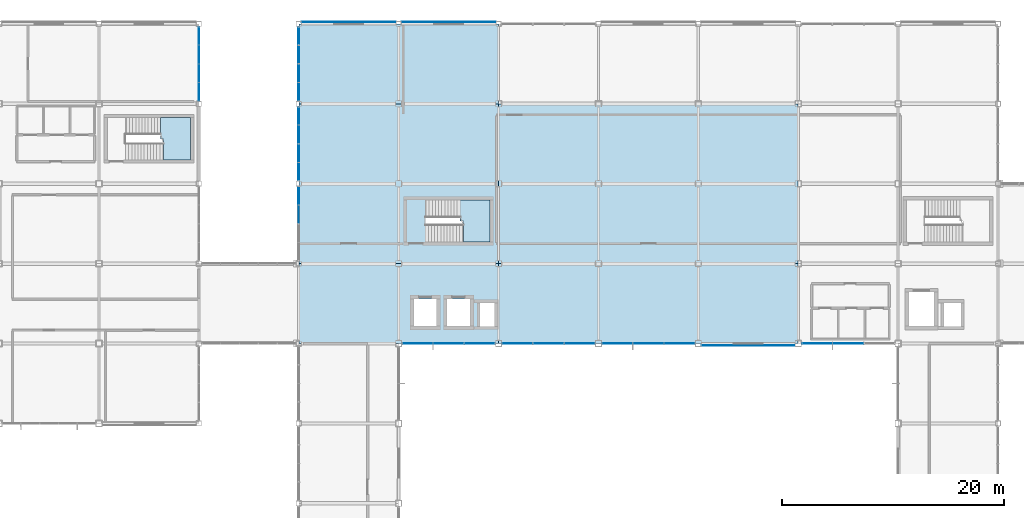
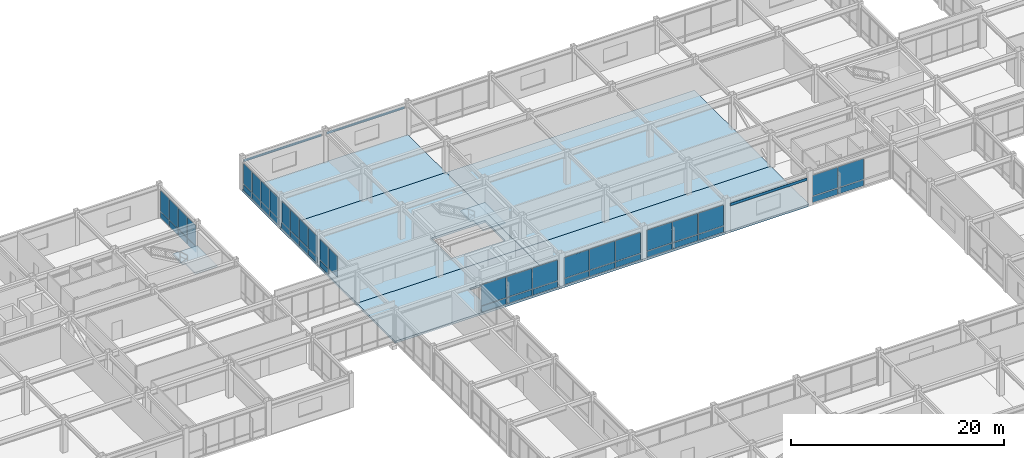
# One storey, part 95 of 122: 52 plates, 7 slabs, 10 elements without a shape of their own.
"""IFC4 building model written with IfcOpenShell, lengths in metres."""

from ifc_helpers import new_model, si_unit, direction, frame, origin, origin_2d, place, context, subcontext, project, spatial, polyline, rectangle, outline, extrude, material, layer, layer_set, type_object, element, aggregate, save


model = new_model("IFC4")

# Units and contexts
model_context = context("Model", 3, precision=1e-05, world=origin(), true_north=direction((0.0, 1.0)))
body_context = subcontext(model_context, "Body", "Model", "MODEL_VIEW")
ifc_project = project(units=[si_unit("LENGTHUNIT", "METRE"), si_unit("AREAUNIT", "SQUARE_METRE"), si_unit("VOLUMEUNIT", "CUBIC_METRE"), si_unit("PLANEANGLEUNIT", "RADIAN"), si_unit("MASSUNIT", "GRAM", prefix="KILO")], contexts=[model_context])

# Site, building, storey
site_placement = place(None, origin())
site = spatial("IfcSite", under=ifc_project, at=site_placement, CompositionType="ELEMENT")
building_placement = place(site_placement, origin())
building = spatial("IfcBuilding", under=site, at=building_placement, Name="Kazanami Central Library", CompositionType="ELEMENT")
storey_placement = place(building_placement, frame((0.0, 0.0, 4.800048828125)))
storey = spatial("IfcBuildingStorey", under=building, at=storey_placement, Name="L02", CompositionType="ELEMENT", Elevation=4.800048828125)

# Curtain wall, plates
ifc_material_1 = material(Name="Acid-Etched Low-E Laminated Glass", Category="glass")
curtain_wall_type_1 = type_object("IfcCurtainWallType", Name="CW-8450x3255-M275", PredefinedType="USERDEFINED", material=ifc_material_1)
curtain_wall_1_placement = place(storey_placement, origin())
curtain_wall_1 = element("IfcCurtainWall", 1, at=curtain_wall_1_placement, inside=storey, type_object=curtain_wall_type_1, Name="Unitised Curtain Wall CW-13 L02 S-K-06", ObjectType="UNITISED CURTAIN WALL", PredefinedType="USERDEFINED")
ifc_layer_1 = layer(ifc_material_1, 0.035888671875, Name="Acid-Etched Low-E Laminated Glass")
ifc_layer_set_1 = layer_set([ifc_layer_1], Name="Acid-Etched Low-E Laminated Glass")
plate_type_1 = type_object("IfcPlateType", Name="PLT-CW-P1", PredefinedType="CURTAIN_PANEL", material=ifc_layer_set_1)
plate_1_placement = place(storey_placement, frame((55.700927734375, 64.800048828125, 0.81494140625), z_axis=(0.0, 0.0, 1.0), x_axis=(1.0, 0.0, 0.0)))
plate_1 = element("IfcPlate", 2, at=plate_1_placement, type_object=plate_type_1, Name="CW-13 panel 1.2", PredefinedType="CURTAIN_PANEL", context=body_context, shape_type="SweptSolid", body=[
    extrude(rectangle(XDim=2.711669921875, YDim=0.035888671875, at=origin_2d()), origin(), (0.0, 0.0, 1.0), 2.3701171875),
])
plate_2_placement = place(storey_placement, frame((58.5, 64.800048828125, 0.81494140625), z_axis=(0.0, 0.0, 1.0), x_axis=(1.0, 0.0, 0.0)))
plate_2 = element("IfcPlate", 3, at=plate_2_placement, type_object=plate_type_1, Name="CW-13 panel 2.2", PredefinedType="CURTAIN_PANEL", context=body_context, shape_type="SweptSolid", body=[
    extrude(rectangle(XDim=2.74658203125, YDim=0.035888671875, at=origin_2d()), origin(), (0.0, 0.0, 1.0), 2.3701171875),
])
plate_3_placement = place(storey_placement, frame((61.299072265625, 64.800048828125, 0.81494140625), z_axis=(0.0, 0.0, 1.0), x_axis=(1.0, 0.0, 0.0)))
plate_3 = element("IfcPlate", 4, at=plate_3_placement, type_object=plate_type_1, Name="CW-13 panel 3.2", PredefinedType="CURTAIN_PANEL", context=body_context, shape_type="SweptSolid", body=[
    extrude(rectangle(XDim=2.711669921875, YDim=0.035888671875, at=origin_2d()), origin(), (0.0, 0.0, 1.0), 2.3701171875),
])

curtain_wall_2_placement = place(storey_placement, origin())
curtain_wall_2 = element("IfcCurtainWall", 5, at=curtain_wall_2_placement, inside=storey, type_object=curtain_wall_type_1, Name="Unitised Curtain Wall CW-13 L02 S-K-08", ObjectType="UNITISED CURTAIN WALL", PredefinedType="USERDEFINED")
plate_4_placement = place(storey_placement, frame((73.700927734375, 64.800048828125, 0.81494140625), z_axis=(0.0, 0.0, 1.0), x_axis=(1.0, 0.0, 0.0)))
plate_4 = element("IfcPlate", 6, at=plate_4_placement, type_object=plate_type_1, Name="CW-13 panel 1.2", PredefinedType="CURTAIN_PANEL", context=body_context, shape_type="SweptSolid", body=[
    extrude(rectangle(XDim=2.711669921875, YDim=0.035888671875, at=origin_2d()), origin(), (0.0, 0.0, 1.0), 2.3701171875),
])
plate_5_placement = place(storey_placement, frame((76.5, 64.800048828125, 0.81494140625), z_axis=(0.0, 0.0, 1.0), x_axis=(1.0, 0.0, 0.0)))
plate_5 = element("IfcPlate", 7, at=plate_5_placement, type_object=plate_type_1, Name="CW-13 panel 2.2", PredefinedType="CURTAIN_PANEL", context=body_context, shape_type="SweptSolid", body=[
    extrude(rectangle(XDim=2.74658203125, YDim=0.035888671875, at=origin_2d()), origin(), (0.0, 0.0, 1.0), 2.3701171875),
])
plate_6_placement = place(storey_placement, frame((79.299072265625, 64.800048828125, 0.81494140625), z_axis=(0.0, 0.0, 1.0), x_axis=(1.0, 0.0, 0.0)))
plate_6 = element("IfcPlate", 8, at=plate_6_placement, type_object=plate_type_1, Name="CW-13 panel 3.2", PredefinedType="CURTAIN_PANEL", context=body_context, shape_type="SweptSolid", body=[
    extrude(rectangle(XDim=2.711669921875, YDim=0.035888671875, at=origin_2d()), origin(), (0.0, 0.0, 1.0), 2.3701171875),
])

curtain_wall_3_placement = place(storey_placement, origin())
curtain_wall_3 = element("IfcCurtainWall", 9, at=curtain_wall_3_placement, inside=storey, type_object=curtain_wall_type_1, Name="Unitised Curtain Wall CW-13 L02 S-K-10", ObjectType="UNITISED CURTAIN WALL", PredefinedType="USERDEFINED")
plate_7_placement = place(storey_placement, frame((91.700927734375, 64.800048828125, 0.81494140625), z_axis=(0.0, 0.0, 1.0), x_axis=(1.0, 0.0, 0.0)))
plate_7 = element("IfcPlate", 10, at=plate_7_placement, type_object=plate_type_1, Name="CW-13 panel 1.2", PredefinedType="CURTAIN_PANEL", context=body_context, shape_type="SweptSolid", body=[
    extrude(rectangle(XDim=2.711669921875, YDim=0.035888671875, at=origin_2d()), origin(), (0.0, 0.0, 1.0), 2.3701171875),
])
plate_8_placement = place(storey_placement, frame((94.5, 64.800048828125, 0.81494140625), z_axis=(0.0, 0.0, 1.0), x_axis=(1.0, 0.0, 0.0)))
plate_8 = element("IfcPlate", 11, at=plate_8_placement, type_object=plate_type_1, Name="CW-13 panel 2.2", PredefinedType="CURTAIN_PANEL", context=body_context, shape_type="SweptSolid", body=[
    extrude(rectangle(XDim=2.74658203125, YDim=0.035888671875, at=origin_2d()), origin(), (0.0, 0.0, 1.0), 2.3701171875),
])

curtain_wall_4_placement = place(storey_placement, origin())
curtain_wall_4 = element("IfcCurtainWall", 12, at=curtain_wall_4_placement, inside=storey, type_object=curtain_wall_type_1, Name="Unitised Curtain Wall CW-13 L02 S-K-07", ObjectType="UNITISED CURTAIN WALL", PredefinedType="USERDEFINED")
ifc_layer_2 = layer(ifc_material_1, 0.0439453125, Name="Acid-Etched Low-E Laminated Glass")
ifc_layer_set_2 = layer_set([ifc_layer_2], Name="Acid-Etched Low-E Laminated Glass")
plate_type_2 = type_object("IfcPlateType", Name="PLT-CW-P2", PredefinedType="CURTAIN_PANEL", material=ifc_layer_set_2)
plate_9_placement = place(storey_placement, frame((64.700927734375, 64.800048828125, 0.81494140625), z_axis=(0.0, 0.0, 1.0), x_axis=(1.0, 0.0, 0.0)))
plate_9 = element("IfcPlate", 13, at=plate_9_placement, type_object=plate_type_2, Name="CW-13 panel 1.2", PredefinedType="CURTAIN_PANEL", context=body_context, shape_type="SweptSolid", body=[
    extrude(rectangle(XDim=2.711669921875, YDim=0.0439453125, at=origin_2d()), origin(), (0.0, 0.0, 1.0), 2.3701171875),
])
plate_10_placement = place(storey_placement, frame((67.5, 64.800048828125, 0.81494140625), z_axis=(0.0, 0.0, 1.0), x_axis=(1.0, 0.0, 0.0)))
plate_10 = element("IfcPlate", 14, at=plate_10_placement, type_object=plate_type_2, Name="CW-13 panel 2.2", PredefinedType="CURTAIN_PANEL", context=body_context, shape_type="SweptSolid", body=[
    extrude(rectangle(XDim=2.74658203125, YDim=0.0439453125, at=origin_2d()), origin(), (0.0, 0.0, 1.0), 2.3701171875),
])
plate_11_placement = place(storey_placement, frame((70.299072265625, 64.800048828125, 0.81494140625), z_axis=(0.0, 0.0, 1.0), x_axis=(1.0, 0.0, 0.0)))
plate_11 = element("IfcPlate", 15, at=plate_11_placement, type_object=plate_type_2, Name="CW-13 panel 3.2", PredefinedType="CURTAIN_PANEL", context=body_context, shape_type="SweptSolid", body=[
    extrude(rectangle(XDim=2.711669921875, YDim=0.0439453125, at=origin_2d()), origin(), (0.0, 0.0, 1.0), 2.3701171875),
])

curtain_wall_type_2 = type_object("IfcCurtainWallType", Name="CW-6750x3255-M180", PredefinedType="USERDEFINED", material=ifc_material_1)
curtain_wall_5_placement = place(storey_placement, origin())
curtain_wall_5 = element("IfcCurtainWall", 16, at=curtain_wall_5_placement, inside=storey, type_object=curtain_wall_type_2, Name="Covered Link Bridge Curtain Wall CW-21 L02 E-5-12", ObjectType="UNITISED CURTAIN WALL", PredefinedType="USERDEFINED")
ifc_material_2 = material(Name="Low-E Insulated Triple Glass", Category="glass")
ifc_layer_3 = layer(ifc_material_2, 0.0400390625, Name="Low-E Insulated Triple Glass")
ifc_layer_set_3 = layer_set([ifc_layer_3], Name="Low-E Insulated Triple Glass")
plate_type_3 = type_object("IfcPlateType", Name="PLT-CW-P3", PredefinedType="CURTAIN_PANEL", material=ifc_layer_set_3)
plate_12_placement = place(storey_placement, frame((36.0, 92.516357421875, 0.81005859375), z_axis=(0.0, 0.0, 1.0), x_axis=(0.0, -1.0, 0.0)))
plate_12 = element("IfcPlate", 17, at=plate_12_placement, type_object=plate_type_3, Name="CW-21 panel 1.2", PredefinedType="CURTAIN_PANEL", context=body_context, shape_type="SweptSolid", body=[
    extrude(rectangle(XDim=1.597412109375, YDim=0.0400390625, at=origin_2d()), origin(), (0.0, 0.0, 1.0), 2.385009765625),
])
plate_13_placement = place(storey_placement, frame((36.0, 90.84375, 0.81005859375), z_axis=(0.0, 0.0, 1.0), x_axis=(0.0, -1.0, 0.0)))
plate_13 = element("IfcPlate", 18, at=plate_13_placement, type_object=plate_type_3, Name="CW-21 panel 2.2", PredefinedType="CURTAIN_PANEL", context=body_context, shape_type="SweptSolid", body=[
    extrude(rectangle(XDim=1.62744140625, YDim=0.0400390625, at=origin_2d()), origin(), (0.0, 0.0, 1.0), 2.385009765625),
])
plate_14_placement = place(storey_placement, frame((36.0, 89.15625, 0.81005859375), z_axis=(0.0, 0.0, 1.0), x_axis=(0.0, -1.0, 0.0)))
plate_14 = element("IfcPlate", 19, at=plate_14_placement, type_object=plate_type_3, Name="CW-21 panel 3.2", PredefinedType="CURTAIN_PANEL", context=body_context, shape_type="SweptSolid", body=[
    extrude(rectangle(XDim=1.62744140625, YDim=0.0400390625, at=origin_2d()), origin(), (0.0, 0.0, 1.0), 2.385009765625),
])
plate_15_placement = place(storey_placement, frame((36.0, 87.483642578125, 0.81005859375), z_axis=(0.0, 0.0, 1.0), x_axis=(0.0, -1.0, 0.0)))
plate_15 = element("IfcPlate", 20, at=plate_15_placement, type_object=plate_type_3, Name="CW-21 panel 4.2", PredefinedType="CURTAIN_PANEL", context=body_context, shape_type="SweptSolid", body=[
    extrude(rectangle(XDim=1.597412109375, YDim=0.0400390625, at=origin_2d()), origin(), (0.0, 0.0, 1.0), 2.385009765625),
])

curtain_wall_6_placement = place(storey_placement, origin())
curtain_wall_6 = element("IfcCurtainWall", 21, at=curtain_wall_6_placement, inside=storey, type_object=curtain_wall_type_2, Name="Covered Link Bridge Curtain Wall CW-21 L02 W-6-10", ObjectType="UNITISED CURTAIN WALL", PredefinedType="USERDEFINED")
plate_16_placement = place(storey_placement, frame((45.0, 76.44384765625, 0.81494140625), z_axis=(0.0, 0.0, 1.0), x_axis=(0.0, 1.0, 0.0)))
plate_16 = element("IfcPlate", 22, at=plate_16_placement, type_object=plate_type_3, Name="CW-21 panel 3.2", PredefinedType="CURTAIN_PANEL", context=body_context, shape_type="SweptSolid", body=[
    extrude(rectangle(XDim=1.617431640625, YDim=0.0400390625, at=origin_2d()), origin(), (0.0, 0.0, 1.0), 2.3701171875),
])
plate_17_placement = place(storey_placement, frame((45.0, 78.11376953125, 0.81494140625), z_axis=(0.0, 0.0, 1.0), x_axis=(0.0, 1.0, 0.0)))
plate_17 = element("IfcPlate", 23, at=plate_17_placement, type_object=plate_type_3, Name="CW-21 panel 4.2", PredefinedType="CURTAIN_PANEL", context=body_context, shape_type="SweptSolid", body=[
    extrude(rectangle(XDim=1.58251953125, YDim=0.0400390625, at=origin_2d()), origin(), (0.0, 0.0, 1.0), 2.3701171875),
])

curtain_wall_7_placement = place(storey_placement, origin())
curtain_wall_7 = element("IfcCurtainWall", 24, at=curtain_wall_7_placement, inside=storey, type_object=curtain_wall_type_2, Name="Covered Link Bridge Curtain Wall CW-21 L02 W-6-11", ObjectType="UNITISED CURTAIN WALL", PredefinedType="USERDEFINED")
plate_18_placement = place(storey_placement, frame((45.0, 80.2861328125, 0.81494140625), z_axis=(0.0, 0.0, 1.0), x_axis=(0.0, 1.0, 0.0)))
plate_18 = element("IfcPlate", 25, at=plate_18_placement, type_object=plate_type_3, Name="CW-21 panel 1.2", PredefinedType="CURTAIN_PANEL", context=body_context, shape_type="SweptSolid", body=[
    extrude(rectangle(XDim=1.58251953125, YDim=0.0400390625, at=origin_2d()), origin(), (0.0, 0.0, 1.0), 2.3701171875),
])
plate_19_placement = place(storey_placement, frame((45.0, 81.956298828125, 0.81494140625), z_axis=(0.0, 0.0, 1.0), x_axis=(0.0, 1.0, 0.0)))
plate_19 = element("IfcPlate", 26, at=plate_19_placement, type_object=plate_type_3, Name="CW-21 panel 2.2", PredefinedType="CURTAIN_PANEL", context=body_context, shape_type="SweptSolid", body=[
    extrude(rectangle(XDim=1.617431640625, YDim=0.0400390625, at=origin_2d()), origin(), (0.0, 0.0, 1.0), 2.3701171875),
])
plate_20_placement = place(storey_placement, frame((45.0, 83.643798828125, 0.81494140625), z_axis=(0.0, 0.0, 1.0), x_axis=(0.0, 1.0, 0.0)))
plate_20 = element("IfcPlate", 27, at=plate_20_placement, type_object=plate_type_3, Name="CW-21 panel 3.2", PredefinedType="CURTAIN_PANEL", context=body_context, shape_type="SweptSolid", body=[
    extrude(rectangle(XDim=1.617431640625, YDim=0.0400390625, at=origin_2d()), origin(), (0.0, 0.0, 1.0), 2.3701171875),
])
plate_21_placement = place(storey_placement, frame((45.0, 85.313720703125, 0.81494140625), z_axis=(0.0, 0.0, 1.0), x_axis=(0.0, 1.0, 0.0)))
plate_21 = element("IfcPlate", 28, at=plate_21_placement, type_object=plate_type_3, Name="CW-21 panel 4.2", PredefinedType="CURTAIN_PANEL", context=body_context, shape_type="SweptSolid", body=[
    extrude(rectangle(XDim=1.58251953125, YDim=0.0400390625, at=origin_2d()), origin(), (0.0, 0.0, 1.0), 2.3701171875),
])

curtain_wall_8_placement = place(storey_placement, origin())
curtain_wall_8 = element("IfcCurtainWall", 29, at=curtain_wall_8_placement, inside=storey, type_object=curtain_wall_type_2, Name="Covered Link Bridge Curtain Wall CW-21 L02 W-6-12", ObjectType="UNITISED CURTAIN WALL", PredefinedType="USERDEFINED")
plate_22_placement = place(storey_placement, frame((45.0, 87.486328125, 0.81494140625), z_axis=(0.0, 0.0, 1.0), x_axis=(0.0, 1.0, 0.0)))
plate_22 = element("IfcPlate", 30, at=plate_22_placement, type_object=plate_type_3, Name="CW-21 panel 1.2", PredefinedType="CURTAIN_PANEL", context=body_context, shape_type="SweptSolid", body=[
    extrude(rectangle(XDim=1.58251953125, YDim=0.0400390625, at=origin_2d()), origin(), (0.0, 0.0, 1.0), 2.3701171875),
])
plate_23_placement = place(storey_placement, frame((45.0, 89.15625, 0.81494140625), z_axis=(0.0, 0.0, 1.0), x_axis=(0.0, 1.0, 0.0)))
plate_23 = element("IfcPlate", 31, at=plate_23_placement, type_object=plate_type_3, Name="CW-21 panel 2.2", PredefinedType="CURTAIN_PANEL", context=body_context, shape_type="SweptSolid", body=[
    extrude(rectangle(XDim=1.617431640625, YDim=0.0400390625, at=origin_2d()), origin(), (0.0, 0.0, 1.0), 2.3701171875),
])
plate_24_placement = place(storey_placement, frame((45.0, 90.84375, 0.81494140625), z_axis=(0.0, 0.0, 1.0), x_axis=(0.0, 1.0, 0.0)))
plate_24 = element("IfcPlate", 32, at=plate_24_placement, type_object=plate_type_3, Name="CW-21 panel 3.2", PredefinedType="CURTAIN_PANEL", context=body_context, shape_type="SweptSolid", body=[
    extrude(rectangle(XDim=1.617431640625, YDim=0.0400390625, at=origin_2d()), origin(), (0.0, 0.0, 1.0), 2.3701171875),
])
plate_25_placement = place(storey_placement, frame((45.0, 92.513671875, 0.81494140625), z_axis=(0.0, 0.0, 1.0), x_axis=(0.0, 1.0, 0.0)))
plate_25 = element("IfcPlate", 33, at=plate_25_placement, type_object=plate_type_3, Name="CW-21 panel 4.2", PredefinedType="CURTAIN_PANEL", context=body_context, shape_type="SweptSolid", body=[
    extrude(rectangle(XDim=1.58251953125, YDim=0.0400390625, at=origin_2d()), origin(), (0.0, 0.0, 1.0), 2.3701171875),
])

# Plate
ifc_material_3 = material(Name="Anodised Aluminium A5052-H32", Category="aluminium")
ifc_layer_4 = layer(ifc_material_3, 0.06005859375, Name="Anodised Aluminium A5052-H32")
ifc_layer_set_4 = layer_set([ifc_layer_4], Name="Anodised Aluminium A5052-H32")
plate_type_4 = type_object("IfcPlateType", Name="PLT-CW-SP1", PredefinedType="CURTAIN_PANEL", material=ifc_layer_set_4)
plate_26_placement = place(storey_placement, frame((55.700927734375, 64.800048828125, 0.06982421875), z_axis=(0.0, 0.0, 1.0), x_axis=(1.0, 0.0, 0.0)))
plate_26 = element("IfcPlate", 34, at=plate_26_placement, type_object=plate_type_4, Name="CW-13 panel 1.1", PredefinedType="CURTAIN_PANEL", context=body_context, shape_type="SweptSolid", body=[
    extrude(rectangle(XDim=2.711669921875, YDim=0.06005859375, at=origin_2d()), origin(), (0.0, 0.0, 1.0), 0.675048828125),
])

plate_27_placement = place(storey_placement, frame((58.5, 64.800048828125, 0.06982421875), z_axis=(0.0, 0.0, 1.0), x_axis=(1.0, 0.0, 0.0)))
plate_27 = element("IfcPlate", 35, at=plate_27_placement, type_object=plate_type_4, Name="CW-13 panel 2.1", PredefinedType="CURTAIN_PANEL", context=body_context, shape_type="SweptSolid", body=[
    extrude(rectangle(XDim=2.74658203125, YDim=0.06005859375, at=origin_2d()), origin(), (0.0, 0.0, 1.0), 0.675048828125),
])

plate_28_placement = place(storey_placement, frame((61.299072265625, 64.800048828125, 0.06982421875), z_axis=(0.0, 0.0, 1.0), x_axis=(1.0, 0.0, 0.0)))
plate_28 = element("IfcPlate", 36, at=plate_28_placement, type_object=plate_type_4, Name="CW-13 panel 3.1", PredefinedType="CURTAIN_PANEL", context=body_context, shape_type="SweptSolid", body=[
    extrude(rectangle(XDim=2.711669921875, YDim=0.06005859375, at=origin_2d()), origin(), (0.0, 0.0, 1.0), 0.675048828125),
])

aggregate(curtain_wall_1, [plate_26, plate_1, plate_27, plate_2, plate_28, plate_3])

plate_29_placement = place(storey_placement, frame((64.700927734375, 64.800048828125, 0.06982421875), z_axis=(0.0, 0.0, 1.0), x_axis=(1.0, 0.0, 0.0)))
plate_29 = element("IfcPlate", 37, at=plate_29_placement, type_object=plate_type_4, Name="CW-13 panel 1.1", PredefinedType="CURTAIN_PANEL", context=body_context, shape_type="SweptSolid", body=[
    extrude(rectangle(XDim=2.711669921875, YDim=0.06005859375, at=origin_2d()), origin(), (0.0, 0.0, 1.0), 0.675048828125),
])

plate_30_placement = place(storey_placement, frame((67.5, 64.800048828125, 0.06982421875), z_axis=(0.0, 0.0, 1.0), x_axis=(1.0, 0.0, 0.0)))
plate_30 = element("IfcPlate", 38, at=plate_30_placement, type_object=plate_type_4, Name="CW-13 panel 2.1", PredefinedType="CURTAIN_PANEL", context=body_context, shape_type="SweptSolid", body=[
    extrude(rectangle(XDim=2.74658203125, YDim=0.06005859375, at=origin_2d()), origin(), (0.0, 0.0, 1.0), 0.675048828125),
])

plate_31_placement = place(storey_placement, frame((70.299072265625, 64.800048828125, 0.06982421875), z_axis=(0.0, 0.0, 1.0), x_axis=(1.0, 0.0, 0.0)))
plate_31 = element("IfcPlate", 39, at=plate_31_placement, type_object=plate_type_4, Name="CW-13 panel 3.1", PredefinedType="CURTAIN_PANEL", context=body_context, shape_type="SweptSolid", body=[
    extrude(rectangle(XDim=2.711669921875, YDim=0.06005859375, at=origin_2d()), origin(), (0.0, 0.0, 1.0), 0.675048828125),
])

aggregate(curtain_wall_4, [plate_29, plate_9, plate_30, plate_10, plate_31, plate_11])

plate_32_placement = place(storey_placement, frame((73.700927734375, 64.800048828125, 0.06982421875), z_axis=(0.0, 0.0, 1.0), x_axis=(1.0, 0.0, 0.0)))
plate_32 = element("IfcPlate", 40, at=plate_32_placement, type_object=plate_type_4, Name="CW-13 panel 1.1", PredefinedType="CURTAIN_PANEL", context=body_context, shape_type="SweptSolid", body=[
    extrude(rectangle(XDim=2.711669921875, YDim=0.06005859375, at=origin_2d()), origin(), (0.0, 0.0, 1.0), 0.675048828125),
])

plate_33_placement = place(storey_placement, frame((76.5, 64.800048828125, 0.06982421875), z_axis=(0.0, 0.0, 1.0), x_axis=(1.0, 0.0, 0.0)))
plate_33 = element("IfcPlate", 41, at=plate_33_placement, type_object=plate_type_4, Name="CW-13 panel 2.1", PredefinedType="CURTAIN_PANEL", context=body_context, shape_type="SweptSolid", body=[
    extrude(rectangle(XDim=2.74658203125, YDim=0.06005859375, at=origin_2d()), origin(), (0.0, 0.0, 1.0), 0.675048828125),
])

plate_34_placement = place(storey_placement, frame((79.299072265625, 64.800048828125, 0.06982421875), z_axis=(0.0, 0.0, 1.0), x_axis=(1.0, 0.0, 0.0)))
plate_34 = element("IfcPlate", 42, at=plate_34_placement, type_object=plate_type_4, Name="CW-13 panel 3.1", PredefinedType="CURTAIN_PANEL", context=body_context, shape_type="SweptSolid", body=[
    extrude(rectangle(XDim=2.711669921875, YDim=0.06005859375, at=origin_2d()), origin(), (0.0, 0.0, 1.0), 0.675048828125),
])

aggregate(curtain_wall_2, [plate_32, plate_4, plate_33, plate_5, plate_34, plate_6])

plate_35_placement = place(storey_placement, frame((91.700927734375, 64.800048828125, 0.06982421875), z_axis=(0.0, 0.0, 1.0), x_axis=(1.0, 0.0, 0.0)))
plate_35 = element("IfcPlate", 43, at=plate_35_placement, type_object=plate_type_4, Name="CW-13 panel 1.1", PredefinedType="CURTAIN_PANEL", context=body_context, shape_type="SweptSolid", body=[
    extrude(rectangle(XDim=2.711669921875, YDim=0.06005859375, at=origin_2d()), origin(), (0.0, 0.0, 1.0), 0.675048828125),
])

plate_36_placement = place(storey_placement, frame((94.5, 64.800048828125, 0.06982421875), z_axis=(0.0, 0.0, 1.0), x_axis=(1.0, 0.0, 0.0)))
plate_36 = element("IfcPlate", 44, at=plate_36_placement, type_object=plate_type_4, Name="CW-13 panel 2.1", PredefinedType="CURTAIN_PANEL", context=body_context, shape_type="SweptSolid", body=[
    extrude(rectangle(XDim=2.74658203125, YDim=0.06005859375, at=origin_2d()), origin(), (0.0, 0.0, 1.0), 0.675048828125),
])

aggregate(curtain_wall_3, [plate_35, plate_7, plate_36, plate_8])

plate_37_placement = place(storey_placement, frame((45.0, 78.11376953125, 0.06982421875), z_axis=(0.0, 0.0, 1.0), x_axis=(0.0, 1.0, 0.0)))
plate_37 = element("IfcPlate", 45, at=plate_37_placement, type_object=plate_type_4, Name="CW-21 panel 4.1", PredefinedType="CURTAIN_PANEL", context=body_context, shape_type="SweptSolid", body=[
    extrude(rectangle(XDim=1.58251953125, YDim=0.06005859375, at=origin_2d()), origin(), (0.0, 0.0, 1.0), 0.675048828125),
])

aggregate(curtain_wall_6, [plate_16, plate_37, plate_17])

plate_38_placement = place(storey_placement, frame((45.0, 80.2861328125, 0.06982421875), z_axis=(0.0, 0.0, 1.0), x_axis=(0.0, 1.0, 0.0)))
plate_38 = element("IfcPlate", 46, at=plate_38_placement, type_object=plate_type_4, Name="CW-21 panel 1.1", PredefinedType="CURTAIN_PANEL", context=body_context, shape_type="SweptSolid", body=[
    extrude(rectangle(XDim=1.58251953125, YDim=0.06005859375, at=origin_2d()), origin(), (0.0, 0.0, 1.0), 0.675048828125),
])

plate_39_placement = place(storey_placement, frame((45.0, 81.956298828125, 0.06982421875), z_axis=(0.0, 0.0, 1.0), x_axis=(0.0, 1.0, 0.0)))
plate_39 = element("IfcPlate", 47, at=plate_39_placement, type_object=plate_type_4, Name="CW-21 panel 2.1", PredefinedType="CURTAIN_PANEL", context=body_context, shape_type="SweptSolid", body=[
    extrude(rectangle(XDim=1.617431640625, YDim=0.06005859375, at=origin_2d()), origin(), (0.0, 0.0, 1.0), 0.675048828125),
])

plate_40_placement = place(storey_placement, frame((45.0, 83.643798828125, 0.06982421875), z_axis=(0.0, 0.0, 1.0), x_axis=(0.0, 1.0, 0.0)))
plate_40 = element("IfcPlate", 48, at=plate_40_placement, type_object=plate_type_4, Name="CW-21 panel 3.1", PredefinedType="CURTAIN_PANEL", context=body_context, shape_type="SweptSolid", body=[
    extrude(rectangle(XDim=1.617431640625, YDim=0.06005859375, at=origin_2d()), origin(), (0.0, 0.0, 1.0), 0.675048828125),
])

plate_41_placement = place(storey_placement, frame((45.0, 85.313720703125, 0.06982421875), z_axis=(0.0, 0.0, 1.0), x_axis=(0.0, 1.0, 0.0)))
plate_41 = element("IfcPlate", 49, at=plate_41_placement, type_object=plate_type_4, Name="CW-21 panel 4.1", PredefinedType="CURTAIN_PANEL", context=body_context, shape_type="SweptSolid", body=[
    extrude(rectangle(XDim=1.58251953125, YDim=0.06005859375, at=origin_2d()), origin(), (0.0, 0.0, 1.0), 0.675048828125),
])

aggregate(curtain_wall_7, [plate_38, plate_18, plate_39, plate_19, plate_40, plate_20, plate_41, plate_21])

plate_42_placement = place(storey_placement, frame((45.0, 87.486328125, 0.06982421875), z_axis=(0.0, 0.0, 1.0), x_axis=(0.0, 1.0, 0.0)))
plate_42 = element("IfcPlate", 50, at=plate_42_placement, type_object=plate_type_4, Name="CW-21 panel 1.1", PredefinedType="CURTAIN_PANEL", context=body_context, shape_type="SweptSolid", body=[
    extrude(rectangle(XDim=1.58251953125, YDim=0.06005859375, at=origin_2d()), origin(), (0.0, 0.0, 1.0), 0.675048828125),
])

plate_43_placement = place(storey_placement, frame((45.0, 89.15625, 0.06982421875), z_axis=(0.0, 0.0, 1.0), x_axis=(0.0, 1.0, 0.0)))
plate_43 = element("IfcPlate", 51, at=plate_43_placement, type_object=plate_type_4, Name="CW-21 panel 2.1", PredefinedType="CURTAIN_PANEL", context=body_context, shape_type="SweptSolid", body=[
    extrude(rectangle(XDim=1.617431640625, YDim=0.06005859375, at=origin_2d()), origin(), (0.0, 0.0, 1.0), 0.675048828125),
])

plate_44_placement = place(storey_placement, frame((45.0, 90.84375, 0.06982421875), z_axis=(0.0, 0.0, 1.0), x_axis=(0.0, 1.0, 0.0)))
plate_44 = element("IfcPlate", 52, at=plate_44_placement, type_object=plate_type_4, Name="CW-21 panel 3.1", PredefinedType="CURTAIN_PANEL", context=body_context, shape_type="SweptSolid", body=[
    extrude(rectangle(XDim=1.617431640625, YDim=0.06005859375, at=origin_2d()), origin(), (0.0, 0.0, 1.0), 0.675048828125),
])

plate_45_placement = place(storey_placement, frame((45.0, 92.513671875, 0.06982421875), z_axis=(0.0, 0.0, 1.0), x_axis=(0.0, 1.0, 0.0)))
plate_45 = element("IfcPlate", 53, at=plate_45_placement, type_object=plate_type_4, Name="CW-21 panel 4.1", PredefinedType="CURTAIN_PANEL", context=body_context, shape_type="SweptSolid", body=[
    extrude(rectangle(XDim=1.58251953125, YDim=0.06005859375, at=origin_2d()), origin(), (0.0, 0.0, 1.0), 0.675048828125),
])

aggregate(curtain_wall_8, [plate_42, plate_22, plate_43, plate_23, plate_44, plate_24, plate_45, plate_25])

ifc_layer_5 = layer(ifc_material_3, 0.052001953125, Name="Anodised Aluminium A5052-H32")
ifc_layer_set_5 = layer_set([ifc_layer_5], Name="Anodised Aluminium A5052-H32")
plate_type_5 = type_object("IfcPlateType", Name="PLT-CW-SP2", PredefinedType="CURTAIN_PANEL", material=ifc_layer_set_5)
plate_46_placement = place(storey_placement, frame((36.0, 92.516357421875, 0.06005859375), z_axis=(0.0, 0.0, 1.0), x_axis=(0.0, -1.0, 0.0)))
plate_46 = element("IfcPlate", 54, at=plate_46_placement, type_object=plate_type_5, Name="CW-21 panel 1.1", PredefinedType="CURTAIN_PANEL", context=body_context, shape_type="SweptSolid", body=[
    extrude(rectangle(XDim=1.597412109375, YDim=0.052001953125, at=origin_2d()), origin(), (0.0, 0.0, 1.0), 0.68994140625),
])

plate_47_placement = place(storey_placement, frame((36.0, 90.84375, 0.06005859375), z_axis=(0.0, 0.0, 1.0), x_axis=(0.0, -1.0, 0.0)))
plate_47 = element("IfcPlate", 55, at=plate_47_placement, type_object=plate_type_5, Name="CW-21 panel 2.1", PredefinedType="CURTAIN_PANEL", context=body_context, shape_type="SweptSolid", body=[
    extrude(rectangle(XDim=1.62744140625, YDim=0.052001953125, at=origin_2d()), origin(), (0.0, 0.0, 1.0), 0.68994140625),
])

plate_48_placement = place(storey_placement, frame((36.0, 89.15625, 0.06005859375), z_axis=(0.0, 0.0, 1.0), x_axis=(0.0, -1.0, 0.0)))
plate_48 = element("IfcPlate", 56, at=plate_48_placement, type_object=plate_type_5, Name="CW-21 panel 3.1", PredefinedType="CURTAIN_PANEL", context=body_context, shape_type="SweptSolid", body=[
    extrude(rectangle(XDim=1.62744140625, YDim=0.052001953125, at=origin_2d()), origin(), (0.0, 0.0, 1.0), 0.68994140625),
])

plate_49_placement = place(storey_placement, frame((36.0, 87.483642578125, 0.06005859375), z_axis=(0.0, 0.0, 1.0), x_axis=(0.0, -1.0, 0.0)))
plate_49 = element("IfcPlate", 57, at=plate_49_placement, type_object=plate_type_5, Name="CW-21 panel 4.1", PredefinedType="CURTAIN_PANEL", context=body_context, shape_type="SweptSolid", body=[
    extrude(rectangle(XDim=1.597412109375, YDim=0.052001953125, at=origin_2d()), origin(), (0.0, 0.0, 1.0), 0.68994140625),
])

aggregate(curtain_wall_5, [plate_46, plate_12, plate_47, plate_13, plate_48, plate_14, plate_49, plate_15])

# Plates
ifc_layer_6 = layer(ifc_material_3, 0.011962890625, Name="Anodised Aluminium A5052-H32")
ifc_layer_set_6 = layer_set([ifc_layer_6], Name="Anodised Aluminium A5052-H32")
plate_type_6 = type_object("IfcPlateType", Name="PLT-SPN-12", PredefinedType="SHEET", material=ifc_layer_set_6)
plate_50_placement = place(storey_placement, frame((49.5, 93.76611328125, 2.94482421875), z_axis=(0.0, 0.0, 1.0), x_axis=(-1.0, 0.0, 0.0)))
element("IfcPlate", 58, at=plate_50_placement, inside=storey, type_object=plate_type_6, Name="Architectural Spandrel Sheet SPN-12 L02 N-O-05", PredefinedType="SHEET", context=body_context, shape_type="SweptSolid", body=[
    extrude(rectangle(XDim=8.449951171875, YDim=0.011962890625, at=origin_2d()), origin(), (0.0, 0.0, 1.0), 0.300048828125),
])
ifc_layer_7 = layer(ifc_material_3, 0.013916015625, Name="Anodised Aluminium A5052-H32")
ifc_layer_set_7 = layer_set([ifc_layer_7], Name="Anodised Aluminium A5052-H32")
plate_type_7 = type_object("IfcPlateType", Name="PLT-SPN-14", PredefinedType="SHEET", material=ifc_layer_set_7)
plate_51_placement = place(storey_placement, frame((58.5, 93.76708984375, 2.94482421875), z_axis=(0.0, 0.0, 1.0), x_axis=(-1.0, 0.0, 0.0)))
element("IfcPlate", 59, at=plate_51_placement, inside=storey, type_object=plate_type_7, Name="Architectural Spandrel Sheet SPN-14 L02 N-O-06", PredefinedType="SHEET", context=body_context, shape_type="SweptSolid", body=[
    extrude(rectangle(XDim=8.449951171875, YDim=0.013916015625, at=origin_2d()), origin(), (0.0, 0.0, 1.0), 0.300048828125),
])
ifc_layer_8 = layer(ifc_material_3, 0.02001953125, Name="Anodised Aluminium A5052-H32")
ifc_layer_set_8 = layer_set([ifc_layer_8], Name="Anodised Aluminium A5052-H32")
plate_type_8 = type_object("IfcPlateType", Name="PLT-SPN-20", PredefinedType="SHEET", material=ifc_layer_set_8)
plate_52_placement = place(storey_placement, frame((85.5, 64.6298828125, 2.94482421875), z_axis=(0.0, 0.0, 1.0), x_axis=(1.0, 0.0, 0.0)))
element("IfcPlate", 60, at=plate_52_placement, inside=storey, type_object=plate_type_8, Name="Architectural Spandrel Sheet SPN-20 L02 S-K-09", PredefinedType="SHEET", context=body_context, shape_type="SweptSolid", body=[
    extrude(rectangle(XDim=8.35009765625, YDim=0.02001953125, at=origin_2d()), origin(), (0.0, 0.0, 1.0), 0.300048828125),
])

# Slabs
ifc_material_4 = material(Name="Concrete Fc36 (36 MPa)", Category="concrete")
ifc_layer_9 = layer(ifc_material_4, 0.2451171875, Name="Concrete Fc36 (36 MPa)")
ifc_layer_set_9 = layer_set([ifc_layer_9], Name="Concrete Fc36 (36 MPa)")
slab_type_1 = type_object("IfcSlabType", Name="SLB-FLR-245", PredefinedType="FLOOR", material=ifc_layer_set_9)
slab_1_placement = place(storey_placement, frame((0.0, 0.0, -0.2451171875)))
element("IfcSlab", 61, at=slab_1_placement, inside=storey, type_object=slab_type_1, Name="Composite Floor Slab L02 V1-NORTH Zone 20", PredefinedType="FLOOR", context=body_context, shape_type="SweptSolid", body=[
    extrude(outline(polyline([(45.0, 64.800048828125), (63.0, 64.800048828125), (63.0, 72.0), (45.0, 72.0), (45.0, 64.800048828125)]), holes=[polyline([(55.375, 66.375), (57.425048828125, 66.375), (57.425048828125, 68.824951171875), (55.375, 68.824951171875), (55.375, 66.375)]), polyline([(58.375, 66.375), (60.425048828125, 66.375), (60.425048828125, 68.824951171875), (58.375, 68.824951171875), (58.375, 66.375)]), polyline([(61.35009765625, 66.35009765625), (62.64990234375, 66.35009765625), (62.64990234375, 68.449951171875), (61.35009765625, 68.449951171875), (61.35009765625, 66.35009765625)])]), origin(), (0.0, 0.0, 1.0), 0.2451171875),
])
slab_2_placement = place(storey_placement, frame((0.0, 0.0, -0.2451171875)))
element("IfcSlab", 62, at=slab_2_placement, inside=storey, type_object=slab_type_1, Name="Composite Floor Slab L02 V1-NORTH Zone 21", PredefinedType="FLOOR", context=body_context, shape_type="SweptSolid", body=[
    extrude(outline(polyline([(45.0, 72.0), (63.0, 72.0), (63.0, 86.39990234375), (45.0, 86.39990234375), (45.0, 72.0)]), holes=[polyline([(56.39990234375, 73.949951171875), (62.25, 73.949951171875), (62.25, 77.75), (56.39990234375, 77.75), (56.39990234375, 73.949951171875)])]), origin(), (0.0, 0.0, 1.0), 0.2451171875),
])
slab_3_placement = place(storey_placement, frame((0.0, 0.0, -0.2451171875)))
element("IfcSlab", 63, at=slab_3_placement, inside=storey, type_object=slab_type_1, Name="Composite Floor Slab L02 V1-NORTH Zone 22", PredefinedType="FLOOR", context=body_context, shape_type="SweptSolid", body=[
    extrude(outline(polyline([(45.0, 86.39990234375), (63.0, 86.39990234375), (63.0, 93.60009765625), (45.0, 93.60009765625), (45.0, 86.39990234375)])), origin(), (0.0, 0.0, 1.0), 0.2451171875),
])
slab_4_placement = place(storey_placement, frame((0.0, 0.0, -0.2451171875)))
element("IfcSlab", 64, at=slab_4_placement, inside=storey, type_object=slab_type_1, Name="Composite Floor Slab L02 V1-NORTH Zone 23", PredefinedType="FLOOR", context=body_context, shape_type="SweptSolid", body=[
    extrude(outline(polyline([(63.0, 64.800048828125), (90.0, 64.800048828125), (90.0, 72.0), (63.0, 72.0), (63.0, 64.800048828125)])), origin(), (0.0, 0.0, 1.0), 0.2451171875),
])
slab_5_placement = place(storey_placement, frame((0.0, 0.0, -0.2451171875)))
element("IfcSlab", 65, at=slab_5_placement, inside=storey, type_object=slab_type_1, Name="Composite Floor Slab L02 V1-NORTH Zone 24", PredefinedType="FLOOR", context=body_context, shape_type="SweptSolid", body=[
    extrude(outline(polyline([(63.0, 72.0), (90.0, 72.0), (90.0, 86.39990234375), (63.0, 86.39990234375), (63.0, 72.0)])), origin(), (0.0, 0.0, 1.0), 0.2451171875),
])

# Stair, slab
stair_type_1 = type_object("IfcStairType", Name="STR-P40", PredefinedType="HALF_TURN_STAIR", material=ifc_material_4)
stair_1_placement = place(storey_placement, origin())
stair_1 = element("IfcStair", 66, at=stair_1_placement, inside=storey, type_object=stair_type_1, Name="Enclosed Escape Stair ST-03 (L02)", PredefinedType="HALF_TURN_STAIR")
ifc_layer_10 = layer(ifc_material_4, 0.179931640625, Name="Concrete Fc36 (36 MPa)")
ifc_layer_set_10 = layer_set([ifc_layer_10], Name="Concrete Fc36 (36 MPa)")
slab_type_2 = type_object("IfcSlabType", Name="SLB-LND-180", PredefinedType="LANDING", material=ifc_layer_set_10)
slab_6_placement = place(storey_placement, frame((0.0, 0.0, 1.89990234375)))
slab_6 = element("IfcSlab", 67, at=slab_6_placement, type_object=slab_type_2, Name="ST-03 landing 1", PredefinedType="LANDING", context=body_context, shape_type="SweptSolid", body=[
    extrude(outline(polyline([(59.827880859375, 73.949951171875), (62.25, 73.949951171875), (62.25, 77.75), (59.548095703125, 77.75), (59.548095703125, 75.85009765625), (59.827880859375, 75.85009765625), (59.827880859375, 73.949951171875)])), origin(), (0.0, 0.0, 1.0), 0.179931640625),
])
aggregate(stair_1, [slab_6])

stair_type_2 = type_object("IfcStairType", Name="STR-T40", PredefinedType="HALF_TURN_STAIR", material=ifc_material_4)
stair_2_placement = place(storey_placement, origin())
stair_2 = element("IfcStair", 68, at=stair_2_placement, inside=storey, type_object=stair_type_2, Name="Enclosed Escape Stair ST-06 (L02)", PredefinedType="HALF_TURN_STAIR")
slab_7_placement = place(storey_placement, frame((0.0, 0.0, 1.89990234375)))
slab_7 = element("IfcSlab", 69, at=slab_7_placement, type_object=slab_type_2, Name="ST-06 landing 1", PredefinedType="LANDING", context=body_context, shape_type="SweptSolid", body=[
    extrude(outline(polyline([(32.827880859375, 81.35009765625), (35.25, 81.35009765625), (35.25, 85.14990234375), (32.548095703125, 85.14990234375), (32.548095703125, 83.25), (32.827880859375, 83.25), (32.827880859375, 81.35009765625)])), origin(), (0.0, 0.0, 1.0), 0.179931640625),
])
aggregate(stair_2, [slab_7])

save(model, "model.ifc")
